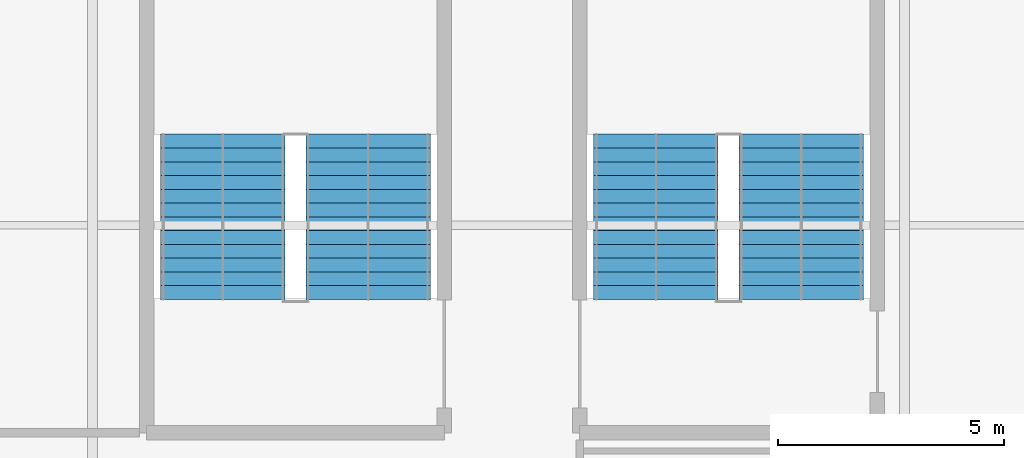
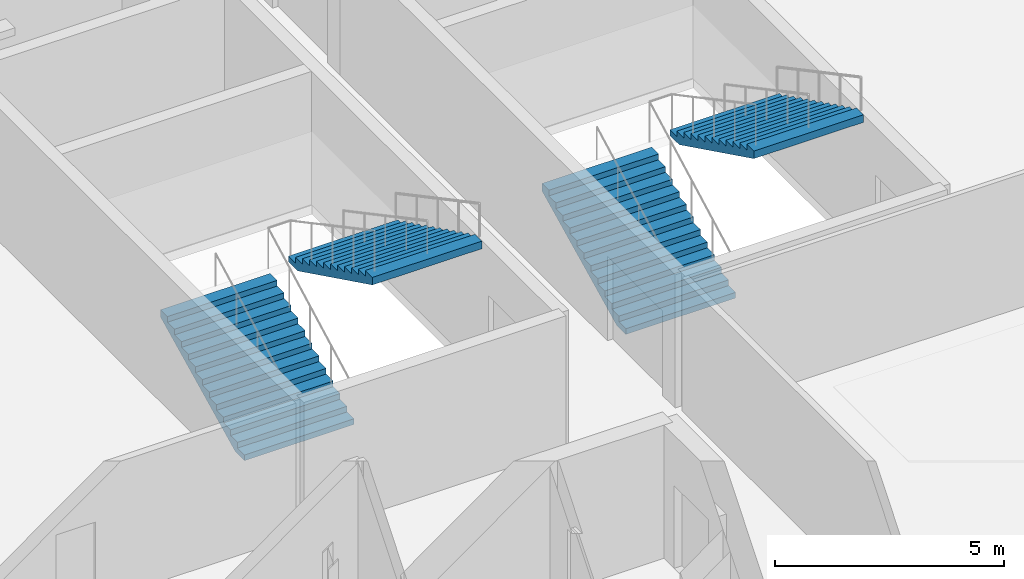
# One storey, part 21 of 30: 4 stair flights, 2 elements without a shape of their own.
"""IFC4 building model written with IfcOpenShell, lengths in metres."""

from ifc_helpers import new_model, si_unit, direction, frame, origin, place, context, subcontext, project, spatial, polygons, material, type_object, element, aggregate, save


model = new_model("IFC4")

# Units and contexts
model_context = context("Model", 3, precision=1e-05, world=origin(), true_north=direction((0.0, 1.0)))
body_context = subcontext(model_context, "Body", "Model", "MODEL_VIEW")
ifc_project = project(units=[si_unit("LENGTHUNIT", "METRE"), si_unit("AREAUNIT", "SQUARE_METRE"), si_unit("VOLUMEUNIT", "CUBIC_METRE"), si_unit("PLANEANGLEUNIT", "RADIAN"), si_unit("MASSUNIT", "GRAM", prefix="KILO")], contexts=[model_context])

# Site, building, storey
site_placement = place(None, origin())
site = spatial("IfcSite", under=ifc_project, at=site_placement, CompositionType="ELEMENT")
building_placement = place(site_placement, origin())
building = spatial("IfcBuilding", under=site, at=building_placement, Name="Kisiwana Market Hall", CompositionType="ELEMENT")
storey_placement = place(building_placement, frame((0.0, 0.0, 54.0)))
storey = spatial("IfcBuildingStorey", under=building, at=storey_placement, Name="L12", CompositionType="ELEMENT", Elevation=54.0)

# Stair, stair flights
ifc_material_1 = material(Name="Concrete C32/40", Category="concrete")
stair_type = type_object("IfcStairType", Name="ST-ESC-3900", PredefinedType="TWO_STRAIGHT_RUN_STAIR", material=ifc_material_1)
stair_1_placement = place(storey_placement, origin())
stair_1 = element("IfcStair", 1, at=stair_1_placement, inside=storey, type_object=stair_type, Name="Escape stair ST-W3-L12", PredefinedType="TWO_STRAIGHT_RUN_STAIR")
ifc_material_2 = material(Name="Concrete C32/40", Category="concrete")
stair_flight_type = type_object("IfcStairFlightType", Name="SF-ESC-3900", PredefinedType="STRAIGHT", material=ifc_material_2)
stair_flight_1_placement = place(storey_placement, frame((11.889892578125, 42.360107421875, 0.0), z_axis=(0.0, 0.0, 1.0), x_axis=(0.0, 1.0, 0.0)))
stair_flight_1 = element("IfcStairFlight", 2, at=stair_flight_1_placement, type_object=stair_flight_type, Name="ST-W3-L12 flight 1", NumberOfRisers=13, NumberOfTreads=12, PredefinedType="STRAIGHT", RiserHeight=0.15, TreadLength=0.305, context=body_context, shape_type="Tessellation", body=[
    polygons([(0.0, -1.380127, 0.0), (0.0, -0.690125, 0.0), (0.0, -0.000122, 0.0), (0.0, 0.68988, 0.0), (0.0, 1.379883, 0.0), (0.0, -1.380127, 0.149902), (0.0, -0.690125, 0.149902), (0.0, -0.000122, 0.149902), (0.0, 0.68988, 0.149902), (0.0, 1.379883, 0.149902), (0.304932, -1.380127, 0.149902), (0.304932, -0.690125, 0.149902), (0.304932, -0.000122, 0.149902), (0.304932, 0.68988, 0.149902), (0.304932, 1.379883, 0.149902), (0.304932, -1.380127, 0.300049), (0.304932, -0.690125, 0.300049), (0.304932, -0.000122, 0.300049), (0.304932, 0.68988, 0.300049), (0.304932, 1.379883, 0.300049), (0.610107, -1.380127, 0.300049), (0.610107, -0.690125, 0.300049), (0.610107, -0.000122, 0.300049), (0.610107, 0.68988, 0.300049), (0.610107, 1.379883, 0.300049), (0.610107, -1.380127, 0.449951), (0.610107, -0.690125, 0.449951), (0.610107, -0.000122, 0.449951), (0.610107, 0.68988, 0.449951), (0.610107, 1.379883, 0.449951), (0.915039, -1.380127, 0.449951), (0.915039, -0.690125, 0.449951), (0.915039, -0.000122, 0.449951), (0.915039, 0.68988, 0.449951), (0.915039, 1.379883, 0.449951), (0.915039, -1.380127, 0.600098), (0.915039, -0.690125, 0.600098), (0.915039, -0.000122, 0.600098), (0.915039, 0.68988, 0.600098), (0.915039, 1.379883, 0.600098), (1.219971, -1.380127, 0.600098), (1.219971, -0.690125, 0.600098), (1.219971, -0.000122, 0.600098), (1.219971, 0.68988, 0.600098), (1.219971, 1.379883, 0.600098), (1.219971, -1.380127, 0.75), (1.219971, -0.690125, 0.75), (1.219971, -0.000122, 0.75), (1.219971, 0.68988, 0.75), (1.219971, 1.379883, 0.75), (1.524902, -1.380127, 0.75), (1.524902, -0.690125, 0.75), (1.524902, -0.000122, 0.75), (1.524902, 0.68988, 0.75), (1.524902, 1.379883, 0.75), (1.524902, -1.380127, 0.899902), (1.524902, -0.690125, 0.899902), (1.524902, -0.000122, 0.899902), (1.524902, 0.68988, 0.899902), (1.524902, 1.379883, 0.899902), (1.830078, -1.380127, 0.899902), (1.830078, -0.690125, 0.899902), (1.830078, -0.000122, 0.899902), (1.830078, 0.68988, 0.899902), (1.830078, 1.379883, 0.899902), (1.830078, -1.380127, 1.050049), (1.830078, -0.690125, 1.050049), (1.830078, -0.000122, 1.050049), (1.830078, 0.68988, 1.050049), (1.830078, 1.379883, 1.050049), (2.13501, -1.380127, 1.050049), (2.13501, -0.690125, 1.050049), (2.13501, -0.000122, 1.050049), (2.13501, 0.68988, 1.050049), (2.13501, 1.379883, 1.050049), (2.13501, -1.380127, 1.199951), (2.13501, -0.690125, 1.199951), (2.13501, -0.000122, 1.199951), (2.13501, 0.68988, 1.199951), (2.13501, 1.379883, 1.199951), (2.439941, -1.380127, 1.199951), (2.439941, -0.690125, 1.199951), (2.439941, -0.000122, 1.199951), (2.439941, 0.68988, 1.199951), (2.439941, 1.379883, 1.199951), (2.439941, -1.380127, 1.350098), (2.439941, -0.690125, 1.350098), (2.439941, -0.000122, 1.350098), (2.439941, 0.68988, 1.350098), (2.439941, 1.379883, 1.350098), (2.745117, -1.380127, 1.350098), (2.745117, -0.690125, 1.350098), (2.745117, -0.000122, 1.350098), (2.745117, 0.68988, 1.350098), (2.745117, 1.379883, 1.350098), (2.745117, -1.380127, 1.5), (2.745117, -0.690125, 1.5), (2.745117, -0.000122, 1.5), (2.745117, 0.68988, 1.5), (2.745117, 1.379883, 1.5), (3.050049, -1.380127, 1.5), (3.050049, -0.690125, 1.5), (3.050049, -0.000122, 1.5), (3.050049, 0.68988, 1.5), (3.050049, 1.379883, 1.5), (3.050049, -1.380127, 1.649902), (3.050049, -0.690125, 1.649902), (3.050049, -0.000122, 1.649902), (3.050049, 0.68988, 1.649902), (3.050049, 1.379883, 1.649902), (3.35498, -1.380127, 1.649902), (3.35498, -0.690125, 1.649902), (3.35498, -0.000122, 1.649902), (3.35498, 0.68988, 1.649902), (3.35498, 1.379883, 1.649902), (3.35498, -1.380127, 1.800049), (3.35498, -0.690125, 1.800049), (3.35498, -0.000122, 1.800049), (3.35498, 0.68988, 1.800049), (3.35498, 1.379883, 1.800049), (3.659912, -1.380127, 1.800049), (3.659912, -0.690125, 1.800049), (3.659912, -0.000122, 1.800049), (3.659912, 0.68988, 1.800049), (3.659912, 1.379883, 1.800049), (3.659912, -1.380127, 1.599365), (3.659912, -0.690125, 1.599365), (3.659912, -0.000122, 1.599365), (3.659912, 0.68988, 1.599365), (3.659912, 1.379883, 1.599365), (0.407715, -1.380127, 0.0), (0.407715, -0.690125, 0.0), (0.407715, -0.000122, 0.0), (0.407715, 0.68988, 0.0), (0.407715, 1.379883, 0.0)], [[[1, 6, 7, 2]], [[2, 7, 8, 3]], [[3, 8, 9, 4]], [[4, 9, 10, 5]], [[6, 11, 12, 7]], [[7, 12, 13, 8]], [[8, 13, 14, 9]], [[9, 14, 15, 10]], [[11, 16, 17, 12]], [[12, 17, 18, 13]], [[13, 18, 19, 14]], [[14, 19, 20, 15]], [[16, 21, 22, 17]], [[17, 22, 23, 18]], [[18, 23, 24, 19]], [[19, 24, 25, 20]], [[21, 26, 27, 22]], [[22, 27, 28, 23]], [[23, 28, 29, 24]], [[24, 29, 30, 25]], [[26, 31, 32, 27]], [[27, 32, 33, 28]], [[28, 33, 34, 29]], [[29, 34, 35, 30]], [[31, 36, 37, 32]], [[32, 37, 38, 33]], [[33, 38, 39, 34]], [[34, 39, 40, 35]], [[36, 41, 42, 37]], [[37, 42, 43, 38]], [[38, 43, 44, 39]], [[39, 44, 45, 40]], [[41, 46, 47, 42]], [[42, 47, 48, 43]], [[43, 48, 49, 44]], [[44, 49, 50, 45]], [[46, 51, 52, 47]], [[47, 52, 53, 48]], [[48, 53, 54, 49]], [[49, 54, 55, 50]], [[51, 56, 57, 52]], [[52, 57, 58, 53]], [[53, 58, 59, 54]], [[54, 59, 60, 55]], [[56, 61, 62, 57]], [[57, 62, 63, 58]], [[58, 63, 64, 59]], [[59, 64, 65, 60]], [[61, 66, 67, 62]], [[62, 67, 68, 63]], [[63, 68, 69, 64]], [[64, 69, 70, 65]], [[66, 71, 72, 67]], [[67, 72, 73, 68]], [[68, 73, 74, 69]], [[69, 74, 75, 70]], [[71, 76, 77, 72]], [[72, 77, 78, 73]], [[73, 78, 79, 74]], [[74, 79, 80, 75]], [[76, 81, 82, 77]], [[77, 82, 83, 78]], [[78, 83, 84, 79]], [[79, 84, 85, 80]], [[81, 86, 87, 82]], [[82, 87, 88, 83]], [[83, 88, 89, 84]], [[84, 89, 90, 85]], [[86, 91, 92, 87]], [[87, 92, 93, 88]], [[88, 93, 94, 89]], [[89, 94, 95, 90]], [[91, 96, 97, 92]], [[92, 97, 98, 93]], [[93, 98, 99, 94]], [[94, 99, 100, 95]], [[96, 101, 102, 97]], [[97, 102, 103, 98]], [[98, 103, 104, 99]], [[99, 104, 105, 100]], [[101, 106, 107, 102]], [[102, 107, 108, 103]], [[103, 108, 109, 104]], [[104, 109, 110, 105]], [[106, 111, 112, 107]], [[107, 112, 113, 108]], [[108, 113, 114, 109]], [[109, 114, 115, 110]], [[111, 116, 117, 112]], [[112, 117, 118, 113]], [[113, 118, 119, 114]], [[114, 119, 120, 115]], [[116, 121, 122, 117]], [[117, 122, 123, 118]], [[118, 123, 124, 119]], [[119, 124, 125, 120]], [[121, 126, 127, 122]], [[122, 127, 128, 123]], [[123, 128, 129, 124]], [[124, 129, 130, 125]], [[126, 131, 132, 127]], [[127, 132, 133, 128]], [[128, 133, 134, 129]], [[129, 134, 135, 130]], [[131, 1, 2, 132]], [[132, 2, 3, 133]], [[133, 3, 4, 134]], [[134, 4, 5, 135]], [[131, 126, 121, 116, 111, 106, 101, 96, 91, 86, 81, 76, 71, 66, 61, 56, 51, 46, 41, 36, 31, 26, 21, 16, 11, 6, 1]], [[5, 10, 15, 20, 25, 30, 35, 40, 45, 50, 55, 60, 65, 70, 75, 80, 85, 90, 95, 100, 105, 110, 115, 120, 125, 130, 135]]], closed=True),
])
stair_flight_2_placement = place(storey_placement, frame((15.110107421875, 46.02001953125, 1.949951171875), z_axis=(0.0, 0.0, 1.0), x_axis=(0.0, -1.0, 0.0)))
stair_flight_2 = element("IfcStairFlight", 3, at=stair_flight_2_placement, type_object=stair_flight_type, Name="ST-W3-L12 flight 2", NumberOfRisers=13, NumberOfTreads=12, PredefinedType="STRAIGHT", RiserHeight=0.15, TreadLength=0.305, context=body_context, shape_type="Tessellation", body=[
    polygons([(0.0, -1.380127, 0.0), (0.0, -0.690125, 0.0), (0.0, -0.000122, 0.0), (0.0, 0.68988, 0.0), (0.0, 1.379883, 0.0), (0.0, -1.380127, 0.149902), (0.0, -0.690125, 0.149902), (0.0, -0.000122, 0.149902), (0.0, 0.68988, 0.149902), (0.0, 1.379883, 0.149902), (0.304932, -1.380127, 0.149902), (0.304932, -0.690125, 0.149902), (0.304932, -0.000122, 0.149902), (0.304932, 0.68988, 0.149902), (0.304932, 1.379883, 0.149902), (0.304932, -1.380127, 0.300049), (0.304932, -0.690125, 0.300049), (0.304932, -0.000122, 0.300049), (0.304932, 0.68988, 0.300049), (0.304932, 1.379883, 0.300049), (0.610107, -1.380127, 0.300049), (0.610107, -0.690125, 0.300049), (0.610107, -0.000122, 0.300049), (0.610107, 0.68988, 0.300049), (0.610107, 1.379883, 0.300049), (0.610107, -1.380127, 0.449951), (0.610107, -0.690125, 0.449951), (0.610107, -0.000122, 0.449951), (0.610107, 0.68988, 0.449951), (0.610107, 1.379883, 0.449951), (0.915039, -1.380127, 0.449951), (0.915039, -0.690125, 0.449951), (0.915039, -0.000122, 0.449951), (0.915039, 0.68988, 0.449951), (0.915039, 1.379883, 0.449951), (0.915039, -1.380127, 0.600098), (0.915039, -0.690125, 0.600098), (0.915039, -0.000122, 0.600098), (0.915039, 0.68988, 0.600098), (0.915039, 1.379883, 0.600098), (1.219971, -1.380127, 0.600098), (1.219971, -0.690125, 0.600098), (1.219971, -0.000122, 0.600098), (1.219971, 0.68988, 0.600098), (1.219971, 1.379883, 0.600098), (1.219971, -1.380127, 0.75), (1.219971, -0.690125, 0.75), (1.219971, -0.000122, 0.75), (1.219971, 0.68988, 0.75), (1.219971, 1.379883, 0.75), (1.524902, -1.380127, 0.75), (1.524902, -0.690125, 0.75), (1.524902, -0.000122, 0.75), (1.524902, 0.68988, 0.75), (1.524902, 1.379883, 0.75), (1.524902, -1.380127, 0.899902), (1.524902, -0.690125, 0.899902), (1.524902, -0.000122, 0.899902), (1.524902, 0.68988, 0.899902), (1.524902, 1.379883, 0.899902), (1.830078, -1.380127, 0.899902), (1.830078, -0.690125, 0.899902), (1.830078, -0.000122, 0.899902), (1.830078, 0.68988, 0.899902), (1.830078, 1.379883, 0.899902), (1.830078, -1.380127, 1.050049), (1.830078, -0.690125, 1.050049), (1.830078, -0.000122, 1.050049), (1.830078, 0.68988, 1.050049), (1.830078, 1.379883, 1.050049), (2.13501, -1.380127, 1.050049), (2.13501, -0.690125, 1.050049), (2.13501, -0.000122, 1.050049), (2.13501, 0.68988, 1.050049), (2.13501, 1.379883, 1.050049), (2.13501, -1.380127, 1.199951), (2.13501, -0.690125, 1.199951), (2.13501, -0.000122, 1.199951), (2.13501, 0.68988, 1.199951), (2.13501, 1.379883, 1.199951), (2.439941, -1.380127, 1.199951), (2.439941, -0.690125, 1.199951), (2.439941, -0.000122, 1.199951), (2.439941, 0.68988, 1.199951), (2.439941, 1.379883, 1.199951), (2.439941, -1.380127, 1.350098), (2.439941, -0.690125, 1.350098), (2.439941, -0.000122, 1.350098), (2.439941, 0.68988, 1.350098), (2.439941, 1.379883, 1.350098), (2.745117, -1.380127, 1.350098), (2.745117, -0.690125, 1.350098), (2.745117, -0.000122, 1.350098), (2.745117, 0.68988, 1.350098), (2.745117, 1.379883, 1.350098), (2.745117, -1.380127, 1.5), (2.745117, -0.690125, 1.5), (2.745117, -0.000122, 1.5), (2.745117, 0.68988, 1.5), (2.745117, 1.379883, 1.5), (3.050049, -1.380127, 1.5), (3.050049, -0.690125, 1.5), (3.050049, -0.000122, 1.5), (3.050049, 0.68988, 1.5), (3.050049, 1.379883, 1.5), (3.050049, -1.380127, 1.649902), (3.050049, -0.690125, 1.649902), (3.050049, -0.000122, 1.649902), (3.050049, 0.68988, 1.649902), (3.050049, 1.379883, 1.649902), (3.35498, -1.380127, 1.649902), (3.35498, -0.690125, 1.649902), (3.35498, -0.000122, 1.649902), (3.35498, 0.68988, 1.649902), (3.35498, 1.379883, 1.649902), (3.35498, -1.380127, 1.800049), (3.35498, -0.690125, 1.800049), (3.35498, -0.000122, 1.800049), (3.35498, 0.68988, 1.800049), (3.35498, 1.379883, 1.800049), (3.659912, -1.380127, 1.800049), (3.659912, -0.690125, 1.800049), (3.659912, -0.000122, 1.800049), (3.659912, 0.68988, 1.800049), (3.659912, 1.379883, 1.800049), (3.659912, -1.380127, 1.599365), (3.659912, -0.690125, 1.599365), (3.659912, -0.000122, 1.599365), (3.659912, 0.68988, 1.599365), (3.659912, 1.379883, 1.599365), (0.407715, -1.380127, 0.0), (0.407715, -0.690125, 0.0), (0.407715, -0.000122, 0.0), (0.407715, 0.68988, 0.0), (0.407715, 1.379883, 0.0)], [[[1, 6, 7, 2]], [[2, 7, 8, 3]], [[3, 8, 9, 4]], [[4, 9, 10, 5]], [[6, 11, 12, 7]], [[7, 12, 13, 8]], [[8, 13, 14, 9]], [[9, 14, 15, 10]], [[11, 16, 17, 12]], [[12, 17, 18, 13]], [[13, 18, 19, 14]], [[14, 19, 20, 15]], [[16, 21, 22, 17]], [[17, 22, 23, 18]], [[18, 23, 24, 19]], [[19, 24, 25, 20]], [[21, 26, 27, 22]], [[22, 27, 28, 23]], [[23, 28, 29, 24]], [[24, 29, 30, 25]], [[26, 31, 32, 27]], [[27, 32, 33, 28]], [[28, 33, 34, 29]], [[29, 34, 35, 30]], [[31, 36, 37, 32]], [[32, 37, 38, 33]], [[33, 38, 39, 34]], [[34, 39, 40, 35]], [[36, 41, 42, 37]], [[37, 42, 43, 38]], [[38, 43, 44, 39]], [[39, 44, 45, 40]], [[41, 46, 47, 42]], [[42, 47, 48, 43]], [[43, 48, 49, 44]], [[44, 49, 50, 45]], [[46, 51, 52, 47]], [[47, 52, 53, 48]], [[48, 53, 54, 49]], [[49, 54, 55, 50]], [[51, 56, 57, 52]], [[52, 57, 58, 53]], [[53, 58, 59, 54]], [[54, 59, 60, 55]], [[56, 61, 62, 57]], [[57, 62, 63, 58]], [[58, 63, 64, 59]], [[59, 64, 65, 60]], [[61, 66, 67, 62]], [[62, 67, 68, 63]], [[63, 68, 69, 64]], [[64, 69, 70, 65]], [[66, 71, 72, 67]], [[67, 72, 73, 68]], [[68, 73, 74, 69]], [[69, 74, 75, 70]], [[71, 76, 77, 72]], [[72, 77, 78, 73]], [[73, 78, 79, 74]], [[74, 79, 80, 75]], [[76, 81, 82, 77]], [[77, 82, 83, 78]], [[78, 83, 84, 79]], [[79, 84, 85, 80]], [[81, 86, 87, 82]], [[82, 87, 88, 83]], [[83, 88, 89, 84]], [[84, 89, 90, 85]], [[86, 91, 92, 87]], [[87, 92, 93, 88]], [[88, 93, 94, 89]], [[89, 94, 95, 90]], [[91, 96, 97, 92]], [[92, 97, 98, 93]], [[93, 98, 99, 94]], [[94, 99, 100, 95]], [[96, 101, 102, 97]], [[97, 102, 103, 98]], [[98, 103, 104, 99]], [[99, 104, 105, 100]], [[101, 106, 107, 102]], [[102, 107, 108, 103]], [[103, 108, 109, 104]], [[104, 109, 110, 105]], [[106, 111, 112, 107]], [[107, 112, 113, 108]], [[108, 113, 114, 109]], [[109, 114, 115, 110]], [[111, 116, 117, 112]], [[112, 117, 118, 113]], [[113, 118, 119, 114]], [[114, 119, 120, 115]], [[116, 121, 122, 117]], [[117, 122, 123, 118]], [[118, 123, 124, 119]], [[119, 124, 125, 120]], [[121, 126, 127, 122]], [[122, 127, 128, 123]], [[123, 128, 129, 124]], [[124, 129, 130, 125]], [[126, 131, 132, 127]], [[127, 132, 133, 128]], [[128, 133, 134, 129]], [[129, 134, 135, 130]], [[131, 1, 2, 132]], [[132, 2, 3, 133]], [[133, 3, 4, 134]], [[134, 4, 5, 135]], [[131, 126, 121, 116, 111, 106, 101, 96, 91, 86, 81, 76, 71, 66, 61, 56, 51, 46, 41, 36, 31, 26, 21, 16, 11, 6, 1]], [[5, 10, 15, 20, 25, 30, 35, 40, 45, 50, 55, 60, 65, 70, 75, 80, 85, 90, 95, 100, 105, 110, 115, 120, 125, 130, 135]]], closed=True),
])
aggregate(stair_1, [stair_flight_1, stair_flight_2])

stair_2_placement = place(storey_placement, origin())
stair_2 = element("IfcStair", 4, at=stair_2_placement, inside=storey, type_object=stair_type, Name="Escape stair ST-W7-L12", PredefinedType="TWO_STRAIGHT_RUN_STAIR")
stair_flight_3_placement = place(storey_placement, frame((21.489990234375, 42.360107421875, 0.0), z_axis=(0.0, 0.0, 1.0), x_axis=(0.0, 1.0, 0.0)))
stair_flight_3 = element("IfcStairFlight", 5, at=stair_flight_3_placement, type_object=stair_flight_type, Name="ST-W7-L12 flight 1", NumberOfRisers=13, NumberOfTreads=12, PredefinedType="STRAIGHT", RiserHeight=0.15, TreadLength=0.305, context=body_context, shape_type="Tessellation", body=[
    polygons([(0.0, -1.380127, 0.0), (0.0, -0.690125, 0.0), (0.0, -0.000122, 0.0), (0.0, 0.68988, 0.0), (0.0, 1.379883, 0.0), (0.0, -1.380127, 0.149902), (0.0, -0.690125, 0.149902), (0.0, -0.000122, 0.149902), (0.0, 0.68988, 0.149902), (0.0, 1.379883, 0.149902), (0.304932, -1.380127, 0.149902), (0.304932, -0.690125, 0.149902), (0.304932, -0.000122, 0.149902), (0.304932, 0.68988, 0.149902), (0.304932, 1.379883, 0.149902), (0.304932, -1.380127, 0.300049), (0.304932, -0.690125, 0.300049), (0.304932, -0.000122, 0.300049), (0.304932, 0.68988, 0.300049), (0.304932, 1.379883, 0.300049), (0.610107, -1.380127, 0.300049), (0.610107, -0.690125, 0.300049), (0.610107, -0.000122, 0.300049), (0.610107, 0.68988, 0.300049), (0.610107, 1.379883, 0.300049), (0.610107, -1.380127, 0.449951), (0.610107, -0.690125, 0.449951), (0.610107, -0.000122, 0.449951), (0.610107, 0.68988, 0.449951), (0.610107, 1.379883, 0.449951), (0.915039, -1.380127, 0.449951), (0.915039, -0.690125, 0.449951), (0.915039, -0.000122, 0.449951), (0.915039, 0.68988, 0.449951), (0.915039, 1.379883, 0.449951), (0.915039, -1.380127, 0.600098), (0.915039, -0.690125, 0.600098), (0.915039, -0.000122, 0.600098), (0.915039, 0.68988, 0.600098), (0.915039, 1.379883, 0.600098), (1.219971, -1.380127, 0.600098), (1.219971, -0.690125, 0.600098), (1.219971, -0.000122, 0.600098), (1.219971, 0.68988, 0.600098), (1.219971, 1.379883, 0.600098), (1.219971, -1.380127, 0.75), (1.219971, -0.690125, 0.75), (1.219971, -0.000122, 0.75), (1.219971, 0.68988, 0.75), (1.219971, 1.379883, 0.75), (1.524902, -1.380127, 0.75), (1.524902, -0.690125, 0.75), (1.524902, -0.000122, 0.75), (1.524902, 0.68988, 0.75), (1.524902, 1.379883, 0.75), (1.524902, -1.380127, 0.899902), (1.524902, -0.690125, 0.899902), (1.524902, -0.000122, 0.899902), (1.524902, 0.68988, 0.899902), (1.524902, 1.379883, 0.899902), (1.830078, -1.380127, 0.899902), (1.830078, -0.690125, 0.899902), (1.830078, -0.000122, 0.899902), (1.830078, 0.68988, 0.899902), (1.830078, 1.379883, 0.899902), (1.830078, -1.380127, 1.050049), (1.830078, -0.690125, 1.050049), (1.830078, -0.000122, 1.050049), (1.830078, 0.68988, 1.050049), (1.830078, 1.379883, 1.050049), (2.13501, -1.380127, 1.050049), (2.13501, -0.690125, 1.050049), (2.13501, -0.000122, 1.050049), (2.13501, 0.68988, 1.050049), (2.13501, 1.379883, 1.050049), (2.13501, -1.380127, 1.199951), (2.13501, -0.690125, 1.199951), (2.13501, -0.000122, 1.199951), (2.13501, 0.68988, 1.199951), (2.13501, 1.379883, 1.199951), (2.439941, -1.380127, 1.199951), (2.439941, -0.690125, 1.199951), (2.439941, -0.000122, 1.199951), (2.439941, 0.68988, 1.199951), (2.439941, 1.379883, 1.199951), (2.439941, -1.380127, 1.350098), (2.439941, -0.690125, 1.350098), (2.439941, -0.000122, 1.350098), (2.439941, 0.68988, 1.350098), (2.439941, 1.379883, 1.350098), (2.745117, -1.380127, 1.350098), (2.745117, -0.690125, 1.350098), (2.745117, -0.000122, 1.350098), (2.745117, 0.68988, 1.350098), (2.745117, 1.379883, 1.350098), (2.745117, -1.380127, 1.5), (2.745117, -0.690125, 1.5), (2.745117, -0.000122, 1.5), (2.745117, 0.68988, 1.5), (2.745117, 1.379883, 1.5), (3.050049, -1.380127, 1.5), (3.050049, -0.690125, 1.5), (3.050049, -0.000122, 1.5), (3.050049, 0.68988, 1.5), (3.050049, 1.379883, 1.5), (3.050049, -1.380127, 1.649902), (3.050049, -0.690125, 1.649902), (3.050049, -0.000122, 1.649902), (3.050049, 0.68988, 1.649902), (3.050049, 1.379883, 1.649902), (3.35498, -1.380127, 1.649902), (3.35498, -0.690125, 1.649902), (3.35498, -0.000122, 1.649902), (3.35498, 0.68988, 1.649902), (3.35498, 1.379883, 1.649902), (3.35498, -1.380127, 1.800049), (3.35498, -0.690125, 1.800049), (3.35498, -0.000122, 1.800049), (3.35498, 0.68988, 1.800049), (3.35498, 1.379883, 1.800049), (3.659912, -1.380127, 1.800049), (3.659912, -0.690125, 1.800049), (3.659912, -0.000122, 1.800049), (3.659912, 0.68988, 1.800049), (3.659912, 1.379883, 1.800049), (3.659912, -1.380127, 1.599365), (3.659912, -0.690125, 1.599365), (3.659912, -0.000122, 1.599365), (3.659912, 0.68988, 1.599365), (3.659912, 1.379883, 1.599365), (0.407715, -1.380127, 0.0), (0.407715, -0.690125, 0.0), (0.407715, -0.000122, 0.0), (0.407715, 0.68988, 0.0), (0.407715, 1.379883, 0.0)], [[[1, 6, 7, 2]], [[2, 7, 8, 3]], [[3, 8, 9, 4]], [[4, 9, 10, 5]], [[6, 11, 12, 7]], [[7, 12, 13, 8]], [[8, 13, 14, 9]], [[9, 14, 15, 10]], [[11, 16, 17, 12]], [[12, 17, 18, 13]], [[13, 18, 19, 14]], [[14, 19, 20, 15]], [[16, 21, 22, 17]], [[17, 22, 23, 18]], [[18, 23, 24, 19]], [[19, 24, 25, 20]], [[21, 26, 27, 22]], [[22, 27, 28, 23]], [[23, 28, 29, 24]], [[24, 29, 30, 25]], [[26, 31, 32, 27]], [[27, 32, 33, 28]], [[28, 33, 34, 29]], [[29, 34, 35, 30]], [[31, 36, 37, 32]], [[32, 37, 38, 33]], [[33, 38, 39, 34]], [[34, 39, 40, 35]], [[36, 41, 42, 37]], [[37, 42, 43, 38]], [[38, 43, 44, 39]], [[39, 44, 45, 40]], [[41, 46, 47, 42]], [[42, 47, 48, 43]], [[43, 48, 49, 44]], [[44, 49, 50, 45]], [[46, 51, 52, 47]], [[47, 52, 53, 48]], [[48, 53, 54, 49]], [[49, 54, 55, 50]], [[51, 56, 57, 52]], [[52, 57, 58, 53]], [[53, 58, 59, 54]], [[54, 59, 60, 55]], [[56, 61, 62, 57]], [[57, 62, 63, 58]], [[58, 63, 64, 59]], [[59, 64, 65, 60]], [[61, 66, 67, 62]], [[62, 67, 68, 63]], [[63, 68, 69, 64]], [[64, 69, 70, 65]], [[66, 71, 72, 67]], [[67, 72, 73, 68]], [[68, 73, 74, 69]], [[69, 74, 75, 70]], [[71, 76, 77, 72]], [[72, 77, 78, 73]], [[73, 78, 79, 74]], [[74, 79, 80, 75]], [[76, 81, 82, 77]], [[77, 82, 83, 78]], [[78, 83, 84, 79]], [[79, 84, 85, 80]], [[81, 86, 87, 82]], [[82, 87, 88, 83]], [[83, 88, 89, 84]], [[84, 89, 90, 85]], [[86, 91, 92, 87]], [[87, 92, 93, 88]], [[88, 93, 94, 89]], [[89, 94, 95, 90]], [[91, 96, 97, 92]], [[92, 97, 98, 93]], [[93, 98, 99, 94]], [[94, 99, 100, 95]], [[96, 101, 102, 97]], [[97, 102, 103, 98]], [[98, 103, 104, 99]], [[99, 104, 105, 100]], [[101, 106, 107, 102]], [[102, 107, 108, 103]], [[103, 108, 109, 104]], [[104, 109, 110, 105]], [[106, 111, 112, 107]], [[107, 112, 113, 108]], [[108, 113, 114, 109]], [[109, 114, 115, 110]], [[111, 116, 117, 112]], [[112, 117, 118, 113]], [[113, 118, 119, 114]], [[114, 119, 120, 115]], [[116, 121, 122, 117]], [[117, 122, 123, 118]], [[118, 123, 124, 119]], [[119, 124, 125, 120]], [[121, 126, 127, 122]], [[122, 127, 128, 123]], [[123, 128, 129, 124]], [[124, 129, 130, 125]], [[126, 131, 132, 127]], [[127, 132, 133, 128]], [[128, 133, 134, 129]], [[129, 134, 135, 130]], [[131, 1, 2, 132]], [[132, 2, 3, 133]], [[133, 3, 4, 134]], [[134, 4, 5, 135]], [[131, 126, 121, 116, 111, 106, 101, 96, 91, 86, 81, 76, 71, 66, 61, 56, 51, 46, 41, 36, 31, 26, 21, 16, 11, 6, 1]], [[5, 10, 15, 20, 25, 30, 35, 40, 45, 50, 55, 60, 65, 70, 75, 80, 85, 90, 95, 100, 105, 110, 115, 120, 125, 130, 135]]], closed=True),
])
stair_flight_4_placement = place(storey_placement, frame((24.7099609375, 46.02001953125, 1.949951171875), z_axis=(0.0, 0.0, 1.0), x_axis=(0.0, -1.0, 0.0)))
stair_flight_4 = element("IfcStairFlight", 6, at=stair_flight_4_placement, type_object=stair_flight_type, Name="ST-W7-L12 flight 2", NumberOfRisers=13, NumberOfTreads=12, PredefinedType="STRAIGHT", RiserHeight=0.15, TreadLength=0.305, context=body_context, shape_type="Tessellation", body=[
    polygons([(0.0, -1.380127, 0.0), (0.0, -0.690125, 0.0), (0.0, -0.000122, 0.0), (0.0, 0.68988, 0.0), (0.0, 1.379883, 0.0), (0.0, -1.380127, 0.149902), (0.0, -0.690125, 0.149902), (0.0, -0.000122, 0.149902), (0.0, 0.68988, 0.149902), (0.0, 1.379883, 0.149902), (0.304932, -1.380127, 0.149902), (0.304932, -0.690125, 0.149902), (0.304932, -0.000122, 0.149902), (0.304932, 0.68988, 0.149902), (0.304932, 1.379883, 0.149902), (0.304932, -1.380127, 0.300049), (0.304932, -0.690125, 0.300049), (0.304932, -0.000122, 0.300049), (0.304932, 0.68988, 0.300049), (0.304932, 1.379883, 0.300049), (0.610107, -1.380127, 0.300049), (0.610107, -0.690125, 0.300049), (0.610107, -0.000122, 0.300049), (0.610107, 0.68988, 0.300049), (0.610107, 1.379883, 0.300049), (0.610107, -1.380127, 0.449951), (0.610107, -0.690125, 0.449951), (0.610107, -0.000122, 0.449951), (0.610107, 0.68988, 0.449951), (0.610107, 1.379883, 0.449951), (0.915039, -1.380127, 0.449951), (0.915039, -0.690125, 0.449951), (0.915039, -0.000122, 0.449951), (0.915039, 0.68988, 0.449951), (0.915039, 1.379883, 0.449951), (0.915039, -1.380127, 0.600098), (0.915039, -0.690125, 0.600098), (0.915039, -0.000122, 0.600098), (0.915039, 0.68988, 0.600098), (0.915039, 1.379883, 0.600098), (1.219971, -1.380127, 0.600098), (1.219971, -0.690125, 0.600098), (1.219971, -0.000122, 0.600098), (1.219971, 0.68988, 0.600098), (1.219971, 1.379883, 0.600098), (1.219971, -1.380127, 0.75), (1.219971, -0.690125, 0.75), (1.219971, -0.000122, 0.75), (1.219971, 0.68988, 0.75), (1.219971, 1.379883, 0.75), (1.524902, -1.380127, 0.75), (1.524902, -0.690125, 0.75), (1.524902, -0.000122, 0.75), (1.524902, 0.68988, 0.75), (1.524902, 1.379883, 0.75), (1.524902, -1.380127, 0.899902), (1.524902, -0.690125, 0.899902), (1.524902, -0.000122, 0.899902), (1.524902, 0.68988, 0.899902), (1.524902, 1.379883, 0.899902), (1.830078, -1.380127, 0.899902), (1.830078, -0.690125, 0.899902), (1.830078, -0.000122, 0.899902), (1.830078, 0.68988, 0.899902), (1.830078, 1.379883, 0.899902), (1.830078, -1.380127, 1.050049), (1.830078, -0.690125, 1.050049), (1.830078, -0.000122, 1.050049), (1.830078, 0.68988, 1.050049), (1.830078, 1.379883, 1.050049), (2.13501, -1.380127, 1.050049), (2.13501, -0.690125, 1.050049), (2.13501, -0.000122, 1.050049), (2.13501, 0.68988, 1.050049), (2.13501, 1.379883, 1.050049), (2.13501, -1.380127, 1.199951), (2.13501, -0.690125, 1.199951), (2.13501, -0.000122, 1.199951), (2.13501, 0.68988, 1.199951), (2.13501, 1.379883, 1.199951), (2.439941, -1.380127, 1.199951), (2.439941, -0.690125, 1.199951), (2.439941, -0.000122, 1.199951), (2.439941, 0.68988, 1.199951), (2.439941, 1.379883, 1.199951), (2.439941, -1.380127, 1.350098), (2.439941, -0.690125, 1.350098), (2.439941, -0.000122, 1.350098), (2.439941, 0.68988, 1.350098), (2.439941, 1.379883, 1.350098), (2.745117, -1.380127, 1.350098), (2.745117, -0.690125, 1.350098), (2.745117, -0.000122, 1.350098), (2.745117, 0.68988, 1.350098), (2.745117, 1.379883, 1.350098), (2.745117, -1.380127, 1.5), (2.745117, -0.690125, 1.5), (2.745117, -0.000122, 1.5), (2.745117, 0.68988, 1.5), (2.745117, 1.379883, 1.5), (3.050049, -1.380127, 1.5), (3.050049, -0.690125, 1.5), (3.050049, -0.000122, 1.5), (3.050049, 0.68988, 1.5), (3.050049, 1.379883, 1.5), (3.050049, -1.380127, 1.649902), (3.050049, -0.690125, 1.649902), (3.050049, -0.000122, 1.649902), (3.050049, 0.68988, 1.649902), (3.050049, 1.379883, 1.649902), (3.35498, -1.380127, 1.649902), (3.35498, -0.690125, 1.649902), (3.35498, -0.000122, 1.649902), (3.35498, 0.68988, 1.649902), (3.35498, 1.379883, 1.649902), (3.35498, -1.380127, 1.800049), (3.35498, -0.690125, 1.800049), (3.35498, -0.000122, 1.800049), (3.35498, 0.68988, 1.800049), (3.35498, 1.379883, 1.800049), (3.659912, -1.380127, 1.800049), (3.659912, -0.690125, 1.800049), (3.659912, -0.000122, 1.800049), (3.659912, 0.68988, 1.800049), (3.659912, 1.379883, 1.800049), (3.659912, -1.380127, 1.599365), (3.659912, -0.690125, 1.599365), (3.659912, -0.000122, 1.599365), (3.659912, 0.68988, 1.599365), (3.659912, 1.379883, 1.599365), (0.407715, -1.380127, 0.0), (0.407715, -0.690125, 0.0), (0.407715, -0.000122, 0.0), (0.407715, 0.68988, 0.0), (0.407715, 1.379883, 0.0)], [[[1, 6, 7, 2]], [[2, 7, 8, 3]], [[3, 8, 9, 4]], [[4, 9, 10, 5]], [[6, 11, 12, 7]], [[7, 12, 13, 8]], [[8, 13, 14, 9]], [[9, 14, 15, 10]], [[11, 16, 17, 12]], [[12, 17, 18, 13]], [[13, 18, 19, 14]], [[14, 19, 20, 15]], [[16, 21, 22, 17]], [[17, 22, 23, 18]], [[18, 23, 24, 19]], [[19, 24, 25, 20]], [[21, 26, 27, 22]], [[22, 27, 28, 23]], [[23, 28, 29, 24]], [[24, 29, 30, 25]], [[26, 31, 32, 27]], [[27, 32, 33, 28]], [[28, 33, 34, 29]], [[29, 34, 35, 30]], [[31, 36, 37, 32]], [[32, 37, 38, 33]], [[33, 38, 39, 34]], [[34, 39, 40, 35]], [[36, 41, 42, 37]], [[37, 42, 43, 38]], [[38, 43, 44, 39]], [[39, 44, 45, 40]], [[41, 46, 47, 42]], [[42, 47, 48, 43]], [[43, 48, 49, 44]], [[44, 49, 50, 45]], [[46, 51, 52, 47]], [[47, 52, 53, 48]], [[48, 53, 54, 49]], [[49, 54, 55, 50]], [[51, 56, 57, 52]], [[52, 57, 58, 53]], [[53, 58, 59, 54]], [[54, 59, 60, 55]], [[56, 61, 62, 57]], [[57, 62, 63, 58]], [[58, 63, 64, 59]], [[59, 64, 65, 60]], [[61, 66, 67, 62]], [[62, 67, 68, 63]], [[63, 68, 69, 64]], [[64, 69, 70, 65]], [[66, 71, 72, 67]], [[67, 72, 73, 68]], [[68, 73, 74, 69]], [[69, 74, 75, 70]], [[71, 76, 77, 72]], [[72, 77, 78, 73]], [[73, 78, 79, 74]], [[74, 79, 80, 75]], [[76, 81, 82, 77]], [[77, 82, 83, 78]], [[78, 83, 84, 79]], [[79, 84, 85, 80]], [[81, 86, 87, 82]], [[82, 87, 88, 83]], [[83, 88, 89, 84]], [[84, 89, 90, 85]], [[86, 91, 92, 87]], [[87, 92, 93, 88]], [[88, 93, 94, 89]], [[89, 94, 95, 90]], [[91, 96, 97, 92]], [[92, 97, 98, 93]], [[93, 98, 99, 94]], [[94, 99, 100, 95]], [[96, 101, 102, 97]], [[97, 102, 103, 98]], [[98, 103, 104, 99]], [[99, 104, 105, 100]], [[101, 106, 107, 102]], [[102, 107, 108, 103]], [[103, 108, 109, 104]], [[104, 109, 110, 105]], [[106, 111, 112, 107]], [[107, 112, 113, 108]], [[108, 113, 114, 109]], [[109, 114, 115, 110]], [[111, 116, 117, 112]], [[112, 117, 118, 113]], [[113, 118, 119, 114]], [[114, 119, 120, 115]], [[116, 121, 122, 117]], [[117, 122, 123, 118]], [[118, 123, 124, 119]], [[119, 124, 125, 120]], [[121, 126, 127, 122]], [[122, 127, 128, 123]], [[123, 128, 129, 124]], [[124, 129, 130, 125]], [[126, 131, 132, 127]], [[127, 132, 133, 128]], [[128, 133, 134, 129]], [[129, 134, 135, 130]], [[131, 1, 2, 132]], [[132, 2, 3, 133]], [[133, 3, 4, 134]], [[134, 4, 5, 135]], [[131, 126, 121, 116, 111, 106, 101, 96, 91, 86, 81, 76, 71, 66, 61, 56, 51, 46, 41, 36, 31, 26, 21, 16, 11, 6, 1]], [[5, 10, 15, 20, 25, 30, 35, 40, 45, 50, 55, 60, 65, 70, 75, 80, 85, 90, 95, 100, 105, 110, 115, 120, 125, 130, 135]]], closed=True),
])
aggregate(stair_2, [stair_flight_3, stair_flight_4])

save(model, "model.ifc")
